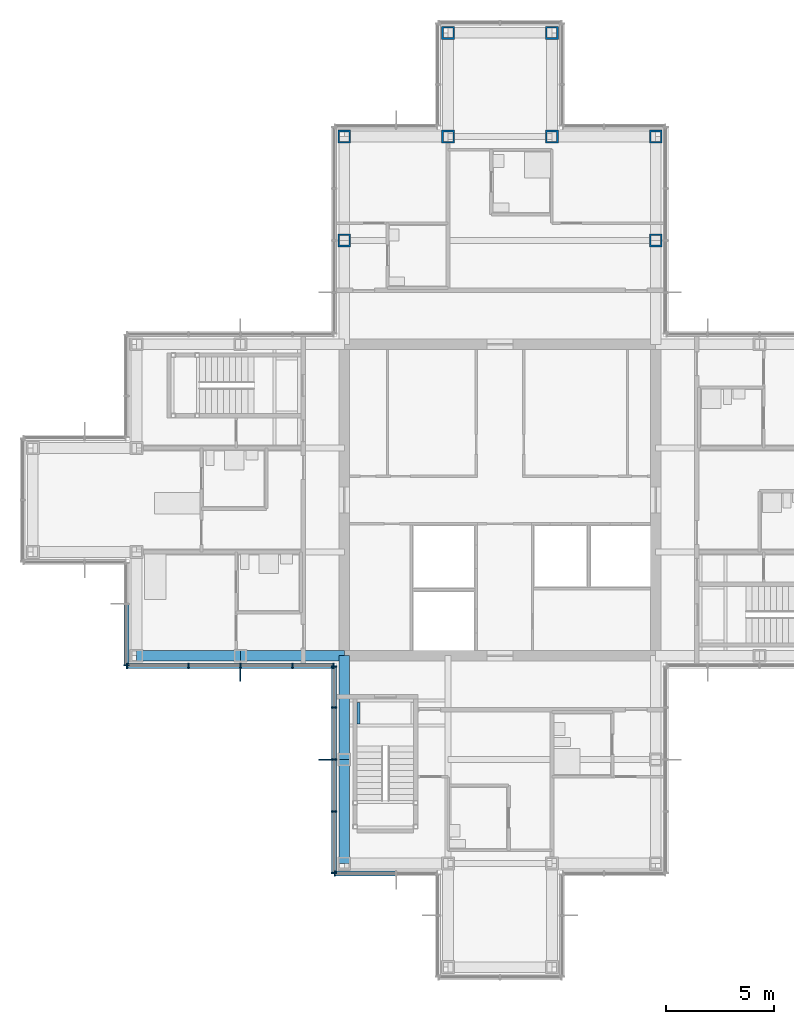
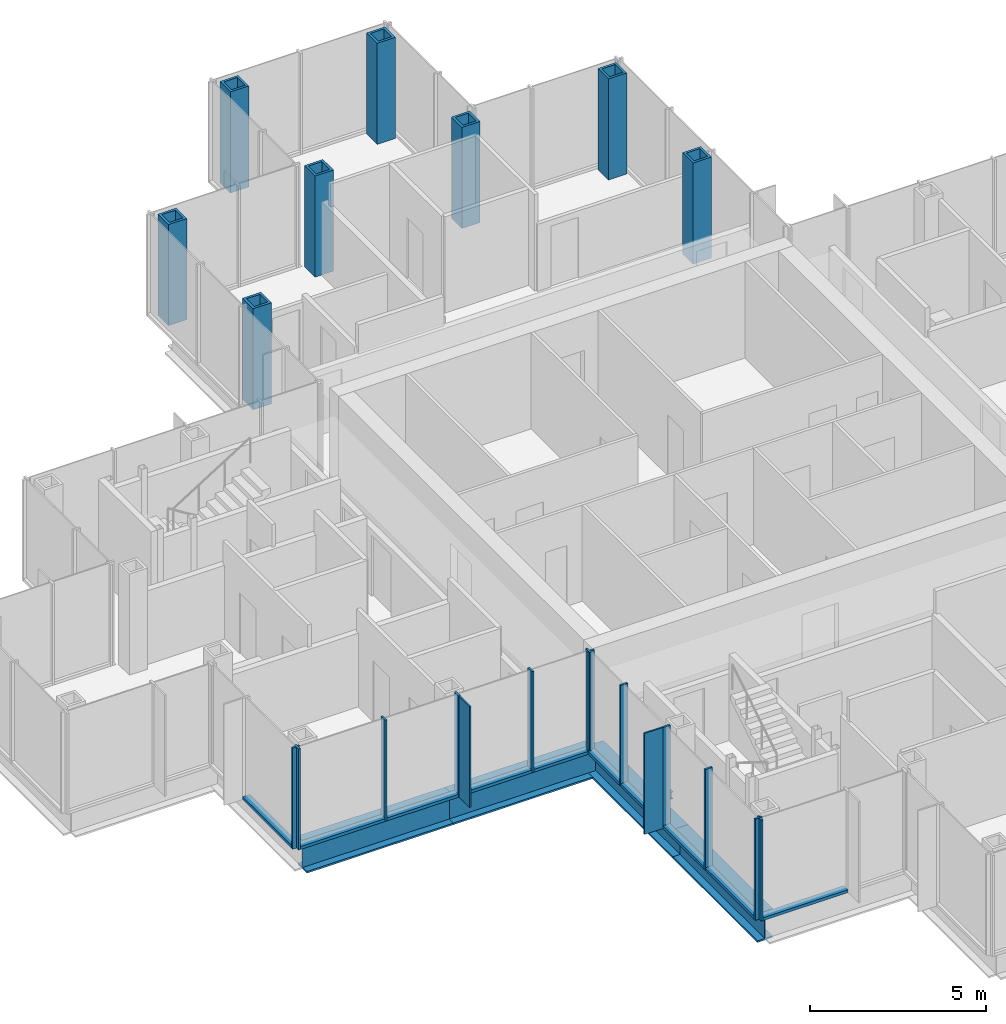
# One storey, part 5 of 17: 24 members, 8 columns, 5 beams, 4 elements without a shape of their own.
"""IFC4 building model written with IfcOpenShell, lengths in metres."""

from ifc_helpers import new_model, si_unit, direction, frame, origin, origin_2d, place, context, subcontext, project, spatial, rectangle, hollow_rectangle, i_section, extrude, material, material_profile, profile_set, type_object, element, aggregate, save


model = new_model("IFC4")

# Units and contexts
model_context = context("Model", 3, precision=1e-05, world=origin(), true_north=direction((0.0, 1.0)))
body_context = subcontext(model_context, "Body", "Model", "MODEL_VIEW")
ifc_project = project(units=[si_unit("LENGTHUNIT", "METRE"), si_unit("AREAUNIT", "SQUARE_METRE"), si_unit("VOLUMEUNIT", "CUBIC_METRE"), si_unit("PLANEANGLEUNIT", "RADIAN"), si_unit("MASSUNIT", "GRAM", prefix="KILO")], contexts=[model_context])

# Site, building, storey
site_placement = place(None, origin())
site = spatial("IfcSite", under=ifc_project, at=site_placement, CompositionType="ELEMENT")
building_placement = place(site_placement, origin())
building = spatial("IfcBuilding", under=site, at=building_placement, Name="Kvirike Care Tower", CompositionType="ELEMENT")
storey_placement = place(building_placement, frame((0.0, 0.0, 172.5)))
storey = spatial("IfcBuildingStorey", under=building, at=storey_placement, Name="L47", CompositionType="ELEMENT", Elevation=172.5)

# Columns
ifc_material_1 = material(Name="Steel S460", Category="steel")
ifc_material_profile_1 = material_profile(ifc_material_1, hollow_rectangle(XDim=0.60009765625, YDim=0.60009765625, WallThickness=0.080078125, at=origin_2d()), Name="BX 600x600x80")
ifc_profile_set_1 = profile_set([ifc_material_profile_1], Name="Steel S460")
column_type = type_object("IfcColumnType", Name="COLUMN BX 600x600x80", PredefinedType="COLUMN", material=ifc_profile_set_1)
for number, where, z_axis, x_axis, name in (
    (1, (14.39990234375, 48.0, 0.0), (0.0, 0.0, 1.0), (1.0, 0.0, 0.0), "Column L6 L47"),
    (2, (14.39990234375, 52.800048828125, 0.0), (0.0, 0.0, 1.0), (0.0, 1.0, 0.0), "Column M6 L47"),
    (3, (19.199951171875, 52.800048828125, 0.0), (0.0, 0.0, 1.0), (0.0, 1.0, 0.0), "Column M7 L47"),
    (4, (19.199951171875, 57.60009765625, 0.0), (0.0, 0.0, 1.0), (0.0, 1.0, 0.0), "Column N7 L47"),
    (5, (24.0, 52.800048828125, 0.0), (0.0, 0.0, 1.0), (0.0, 1.0, 0.0), "Column M8 L47"),
    (6, (24.0, 57.60009765625, 0.0), (0.0, 0.0, 1.0), (0.0, 1.0, 0.0), "Column N8 L47"),
    (7, (28.800048828125, 48.0, 0.0), (0.0, 0.0, 1.0), (1.0, 0.0, 0.0), "Column L9 L47"),
    (8, (28.800048828125, 52.800048828125, 0.0), (0.0, 0.0, 1.0), (0.0, 1.0, 0.0), "Column M9 L47"),
):
    element("IfcColumn", number, at=place(storey_placement, frame(where, z_axis=z_axis, x_axis=x_axis)), inside=storey, type_object=column_type, Name=name, PredefinedType="COLUMN", context=body_context, shape_type="SweptSolid", body=[
        extrude(hollow_rectangle(XDim=0.60009765625, YDim=0.60009765625, WallThickness=0.080078125, at=origin_2d()), origin(), (0.0, 0.0, 1.0), 3.5),
    ])

# Curtain wall, member
ifc_material_2 = material(Name="Anodised aluminium stick system", Category="aluminium")
curtain_wall_type = type_object("IfcCurtainWallType", Name="CW-C STICK CURTAIN WALL", PredefinedType="NOTDEFINED", material=ifc_material_2)
curtain_wall_1_placement = place(storey_placement, origin())
curtain_wall_1 = element("IfcCurtainWall", 9, at=curtain_wall_1_placement, inside=storey, type_object=curtain_wall_type, Name="Curtain wall L47 face 21", PredefinedType="NOTDEFINED")
ifc_material_3 = material(Name="Bronze anodised aluminium fin", Category="aluminium")
ifc_material_profile_2 = material_profile(ifc_material_3, rectangle(XDim=0.050048828125, YDim=0.60009765625, at=origin_2d()), Name="BRONZE FIN 600")
ifc_profile_set_2 = profile_set([ifc_material_profile_2], Name="Bronze anodised aluminium fin")
member_type_1 = type_object("IfcMemberType", Name="BRONZE FIN 600", PredefinedType="USERDEFINED", material=ifc_profile_set_2)
member_1_placement = place(storey_placement, frame((9.60009765625, 27.909912109375, 0.0), z_axis=(0.0, 0.0, 1.0), x_axis=(1.0, 0.0, 0.0)))
member_1 = element("IfcMember", 10, at=member_1_placement, type_object=member_type_1, Name="Bronze fin L47 face 21.3", ObjectType="FIN", PredefinedType="USERDEFINED", context=body_context, shape_type="SweptSolid", body=[
    extrude(rectangle(XDim=0.050048828125, YDim=0.60009765625, at=origin_2d()), origin(), (0.0, 0.0, 1.0), 3.5),
])

curtain_wall_2_placement = place(storey_placement, origin())
curtain_wall_2 = element("IfcCurtainWall", 11, at=curtain_wall_2_placement, inside=storey, type_object=curtain_wall_type, Name="Curtain wall L47 face 22", PredefinedType="NOTDEFINED")
member_2_placement = place(storey_placement, frame((13.510009765625, 24.0, 0.0), z_axis=(0.0, 0.0, 1.0), x_axis=(0.0, -1.0, 0.0)))
member_2 = element("IfcMember", 12, at=member_2_placement, type_object=member_type_1, Name="Bronze fin L47 face 22.3", ObjectType="FIN", PredefinedType="USERDEFINED", context=body_context, shape_type="SweptSolid", body=[
    extrude(rectangle(XDim=0.050048828125, YDim=0.60009765625, at=origin_2d()), origin(), (0.0, 0.0, 1.0), 3.5),
])

curtain_wall_3_placement = place(storey_placement, origin())
curtain_wall_3 = element("IfcCurtainWall", 13, at=curtain_wall_3_placement, inside=storey, type_object=curtain_wall_type, Name="Curtain wall L47 face 20", PredefinedType="NOTDEFINED")
ifc_material_4 = material(Name="Bronze anodised aluminium mullion", Category="aluminium")
ifc_material_profile_3 = material_profile(ifc_material_4, rectangle(XDim=0.06494140625, YDim=0.239990234375, at=origin_2d()), Name="CW-C MULLION 65x240")
ifc_profile_set_3 = profile_set([ifc_material_profile_3], Name="Bronze anodised aluminium mullion")
member_type_2 = type_object("IfcMemberType", Name="CW-C MULLION 65x240", PredefinedType="MULLION", material=ifc_profile_set_3)
member_3_placement = place(storey_placement, frame((4.330078125, 28.362548828125, 0.0), z_axis=(0.0, 0.0, 1.0), x_axis=(0.0, -1.0, 0.0)))
member_3 = element("IfcMember", 14, at=member_3_placement, type_object=member_type_2, Name="CW-C mullion L47 face 20.3", PredefinedType="MULLION", context=body_context, shape_type="SweptSolid", body=[
    extrude(rectangle(XDim=0.06494140625, YDim=0.239990234375, at=origin_2d()), origin(), (0.0, 0.0, 1.0), 3.5),
])

# Member
member_4_placement = place(storey_placement, frame((4.362548828125, 28.330078125, 0.0), z_axis=(0.0, 0.0, 1.0), x_axis=(1.0, 0.0, 0.0)))
member_4 = element("IfcMember", 15, at=member_4_placement, type_object=member_type_2, Name="CW-C mullion L47 face 21.1", PredefinedType="MULLION", context=body_context, shape_type="SweptSolid", body=[
    extrude(rectangle(XDim=0.06494140625, YDim=0.239990234375, at=origin_2d()), origin(), (0.0, 0.0, 1.0), 3.5),
])

member_5_placement = place(storey_placement, frame((7.199951171875, 28.330078125, 0.0), z_axis=(0.0, 0.0, 1.0), x_axis=(1.0, 0.0, 0.0)))
member_5 = element("IfcMember", 16, at=member_5_placement, type_object=member_type_2, Name="CW-C mullion L47 face 21.2", PredefinedType="MULLION", context=body_context, shape_type="SweptSolid", body=[
    extrude(rectangle(XDim=0.06494140625, YDim=0.239990234375, at=origin_2d()), origin(), (0.0, 0.0, 1.0), 3.5),
])

member_6_placement = place(storey_placement, frame((9.60009765625, 28.330078125, 0.0), z_axis=(0.0, 0.0, 1.0), x_axis=(1.0, 0.0, 0.0)))
member_6 = element("IfcMember", 17, at=member_6_placement, type_object=member_type_2, Name="CW-C mullion L47 face 21.3", PredefinedType="MULLION", context=body_context, shape_type="SweptSolid", body=[
    extrude(rectangle(XDim=0.06494140625, YDim=0.239990234375, at=origin_2d()), origin(), (0.0, 0.0, 1.0), 3.5),
])

member_7_placement = place(storey_placement, frame((12.0, 28.330078125, 0.0), z_axis=(0.0, 0.0, 1.0), x_axis=(1.0, 0.0, 0.0)))
member_7 = element("IfcMember", 18, at=member_7_placement, type_object=member_type_2, Name="CW-C mullion L47 face 21.4", PredefinedType="MULLION", context=body_context, shape_type="SweptSolid", body=[
    extrude(rectangle(XDim=0.06494140625, YDim=0.239990234375, at=origin_2d()), origin(), (0.0, 0.0, 1.0), 3.5),
])

member_8_placement = place(storey_placement, frame((13.8974609375, 28.330078125, 0.0), z_axis=(0.0, 0.0, 1.0), x_axis=(1.0, 0.0, 0.0)))
member_8 = element("IfcMember", 19, at=member_8_placement, type_object=member_type_2, Name="CW-C mullion L47 face 21.5", PredefinedType="MULLION", context=body_context, shape_type="SweptSolid", body=[
    extrude(rectangle(XDim=0.06494140625, YDim=0.239990234375, at=origin_2d()), origin(), (0.0, 0.0, 1.0), 3.5),
])

member_9_placement = place(storey_placement, frame((13.929931640625, 28.297607421875, 0.0), z_axis=(0.0, 0.0, 1.0), x_axis=(0.0, -1.0, 0.0)))
member_9 = element("IfcMember", 20, at=member_9_placement, type_object=member_type_2, Name="CW-C mullion L47 face 22.1", PredefinedType="MULLION", context=body_context, shape_type="SweptSolid", body=[
    extrude(rectangle(XDim=0.06494140625, YDim=0.239990234375, at=origin_2d()), origin(), (0.0, 0.0, 1.0), 3.5),
])

member_10_placement = place(storey_placement, frame((13.929931640625, 26.39990234375, 0.0), z_axis=(0.0, 0.0, 1.0), x_axis=(0.0, -1.0, 0.0)))
member_10 = element("IfcMember", 21, at=member_10_placement, type_object=member_type_2, Name="CW-C mullion L47 face 22.2", PredefinedType="MULLION", context=body_context, shape_type="SweptSolid", body=[
    extrude(rectangle(XDim=0.06494140625, YDim=0.239990234375, at=origin_2d()), origin(), (0.0, 0.0, 1.0), 3.5),
])

member_11_placement = place(storey_placement, frame((13.929931640625, 24.0, 0.0), z_axis=(0.0, 0.0, 1.0), x_axis=(0.0, -1.0, 0.0)))
member_11 = element("IfcMember", 22, at=member_11_placement, type_object=member_type_2, Name="CW-C mullion L47 face 22.3", PredefinedType="MULLION", context=body_context, shape_type="SweptSolid", body=[
    extrude(rectangle(XDim=0.06494140625, YDim=0.239990234375, at=origin_2d()), origin(), (0.0, 0.0, 1.0), 3.5),
])

member_12_placement = place(storey_placement, frame((13.929931640625, 21.60009765625, 0.0), z_axis=(0.0, 0.0, 1.0), x_axis=(0.0, -1.0, 0.0)))
member_12 = element("IfcMember", 23, at=member_12_placement, type_object=member_type_2, Name="CW-C mullion L47 face 22.4", PredefinedType="MULLION", context=body_context, shape_type="SweptSolid", body=[
    extrude(rectangle(XDim=0.06494140625, YDim=0.239990234375, at=origin_2d()), origin(), (0.0, 0.0, 1.0), 3.5),
])

member_13_placement = place(storey_placement, frame((13.929931640625, 18.762451171875, 0.0), z_axis=(0.0, 0.0, 1.0), x_axis=(0.0, -1.0, 0.0)))
member_13 = element("IfcMember", 24, at=member_13_placement, type_object=member_type_2, Name="CW-C mullion L47 face 22.5", PredefinedType="MULLION", context=body_context, shape_type="SweptSolid", body=[
    extrude(rectangle(XDim=0.06494140625, YDim=0.239990234375, at=origin_2d()), origin(), (0.0, 0.0, 1.0), 3.5),
])

# Curtain wall, member
curtain_wall_4_placement = place(storey_placement, origin())
curtain_wall_4 = element("IfcCurtainWall", 25, at=curtain_wall_4_placement, inside=storey, type_object=curtain_wall_type, Name="Curtain wall L47 face 23", PredefinedType="NOTDEFINED")
member_14_placement = place(storey_placement, frame((13.96240234375, 18.72998046875, 0.0), z_axis=(0.0, 0.0, 1.0), x_axis=(1.0, 0.0, 0.0)))
member_14 = element("IfcMember", 26, at=member_14_placement, type_object=member_type_2, Name="CW-C mullion L47 face 23.1", PredefinedType="MULLION", context=body_context, shape_type="SweptSolid", body=[
    extrude(rectangle(XDim=0.06494140625, YDim=0.239990234375, at=origin_2d()), origin(), (0.0, 0.0, 1.0), 3.5),
])

# Member
ifc_material_5 = material(Name="Bronze anodised aluminium transom", Category="aluminium")
ifc_material_profile_4 = material_profile(ifc_material_5, rectangle(XDim=0.239990234375, YDim=0.10009765625, at=origin_2d()), Name="CW-C TRANSOM 240x100")
ifc_profile_set_4 = profile_set([ifc_material_profile_4], Name="Bronze anodised aluminium transom")
member_type_3 = type_object("IfcMemberType", Name="CW-C TRANSOM 240x100", PredefinedType="USERDEFINED", material=ifc_profile_set_4)
member_15_placement = place(storey_placement, frame((4.330078125, 31.16748046875, 0.050048828125), z_axis=(0.0, -1.0, 0.0), x_axis=(1.0, 0.0, 0.0)))
member_15 = element("IfcMember", 27, at=member_15_placement, type_object=member_type_3, Name="CW-C sill transom L47 face 20.2", ObjectType="TRANSOM", PredefinedType="USERDEFINED", context=body_context, shape_type="SweptSolid", body=[
    extrude(rectangle(XDim=0.239990234375, YDim=0.10009765625, at=origin_2d()), origin(), (0.0, 0.0, 1.0), 2.7724609375),
])

aggregate(curtain_wall_3, [member_3, member_15])

member_16_placement = place(storey_placement, frame((4.39501953125, 28.330078125, 0.050048828125), z_axis=(1.0, 0.0, 0.0), x_axis=(0.0, 1.0, 0.0)))
member_16 = element("IfcMember", 28, at=member_16_placement, type_object=member_type_3, Name="CW-C sill transom L47 face 21.1", ObjectType="TRANSOM", PredefinedType="USERDEFINED", context=body_context, shape_type="SweptSolid", body=[
    extrude(rectangle(XDim=0.239990234375, YDim=0.10009765625, at=origin_2d()), origin(), (0.0, 0.0, 1.0), 2.7724609375),
])

member_17_placement = place(storey_placement, frame((7.232421875, 28.330078125, 0.050048828125), z_axis=(1.0, 0.0, 0.0), x_axis=(0.0, 1.0, 0.0)))
member_17 = element("IfcMember", 29, at=member_17_placement, type_object=member_type_3, Name="CW-C sill transom L47 face 21.2", ObjectType="TRANSOM", PredefinedType="USERDEFINED", context=body_context, shape_type="SweptSolid", body=[
    extrude(rectangle(XDim=0.239990234375, YDim=0.10009765625, at=origin_2d()), origin(), (0.0, 0.0, 1.0), 2.3349609375),
])

member_18_placement = place(storey_placement, frame((9.632568359375, 28.330078125, 0.050048828125), z_axis=(1.0, 0.0, 0.0), x_axis=(0.0, 1.0, 0.0)))
member_18 = element("IfcMember", 30, at=member_18_placement, type_object=member_type_3, Name="CW-C sill transom L47 face 21.3", ObjectType="TRANSOM", PredefinedType="USERDEFINED", context=body_context, shape_type="SweptSolid", body=[
    extrude(rectangle(XDim=0.239990234375, YDim=0.10009765625, at=origin_2d()), origin(), (0.0, 0.0, 1.0), 2.3349609375),
])

member_19_placement = place(storey_placement, frame((12.032470703125, 28.330078125, 0.050048828125), z_axis=(1.0, 0.0, 0.0), x_axis=(0.0, 1.0, 0.0)))
member_19 = element("IfcMember", 31, at=member_19_placement, type_object=member_type_3, Name="CW-C sill transom L47 face 21.4", ObjectType="TRANSOM", PredefinedType="USERDEFINED", context=body_context, shape_type="SweptSolid", body=[
    extrude(rectangle(XDim=0.239990234375, YDim=0.10009765625, at=origin_2d()), origin(), (0.0, 0.0, 1.0), 1.83251953125),
])

aggregate(curtain_wall_1, [member_4, member_5, member_6, member_1, member_7, member_8, member_16, member_17, member_18, member_19])

member_20_placement = place(storey_placement, frame((13.929931640625, 28.264892578125, 0.050048828125), z_axis=(0.0, -1.0, 0.0), x_axis=(1.0, 0.0, 0.0)))
member_20 = element("IfcMember", 32, at=member_20_placement, type_object=member_type_3, Name="CW-C sill transom L47 face 22.1", ObjectType="TRANSOM", PredefinedType="USERDEFINED", context=body_context, shape_type="SweptSolid", body=[
    extrude(rectangle(XDim=0.239990234375, YDim=0.10009765625, at=origin_2d()), origin(), (0.0, 0.0, 1.0), 1.832275390625),
])

member_21_placement = place(storey_placement, frame((13.929931640625, 26.367431640625, 0.050048828125), z_axis=(0.0, -1.0, 0.0), x_axis=(1.0, 0.0, 0.0)))
member_21 = element("IfcMember", 33, at=member_21_placement, type_object=member_type_3, Name="CW-C sill transom L47 face 22.2", ObjectType="TRANSOM", PredefinedType="USERDEFINED", context=body_context, shape_type="SweptSolid", body=[
    extrude(rectangle(XDim=0.239990234375, YDim=0.10009765625, at=origin_2d()), origin(), (0.0, 0.0, 1.0), 2.3349609375),
])

member_22_placement = place(storey_placement, frame((13.929931640625, 23.967529296875, 0.050048828125), z_axis=(0.0, -1.0, 0.0), x_axis=(1.0, 0.0, 0.0)))
member_22 = element("IfcMember", 34, at=member_22_placement, type_object=member_type_3, Name="CW-C sill transom L47 face 22.3", ObjectType="TRANSOM", PredefinedType="USERDEFINED", context=body_context, shape_type="SweptSolid", body=[
    extrude(rectangle(XDim=0.239990234375, YDim=0.10009765625, at=origin_2d()), origin(), (0.0, 0.0, 1.0), 2.3349609375),
])

member_23_placement = place(storey_placement, frame((13.929931640625, 21.5673828125, 0.050048828125), z_axis=(0.0, -1.0, 0.0), x_axis=(1.0, 0.0, 0.0)))
member_23 = element("IfcMember", 35, at=member_23_placement, type_object=member_type_3, Name="CW-C sill transom L47 face 22.4", ObjectType="TRANSOM", PredefinedType="USERDEFINED", context=body_context, shape_type="SweptSolid", body=[
    extrude(rectangle(XDim=0.239990234375, YDim=0.10009765625, at=origin_2d()), origin(), (0.0, 0.0, 1.0), 2.7724609375),
])

aggregate(curtain_wall_2, [member_9, member_10, member_11, member_2, member_12, member_13, member_20, member_21, member_22, member_23])

member_24_placement = place(storey_placement, frame((13.9951171875, 18.72998046875, 0.050048828125), z_axis=(1.0, 0.0, 0.0), x_axis=(0.0, 1.0, 0.0)))
member_24 = element("IfcMember", 36, at=member_24_placement, type_object=member_type_3, Name="CW-C sill transom L47 face 23.1", ObjectType="TRANSOM", PredefinedType="USERDEFINED", context=body_context, shape_type="SweptSolid", body=[
    extrude(rectangle(XDim=0.239990234375, YDim=0.10009765625, at=origin_2d()), origin(), (0.0, 0.0, 1.0), 2.7724609375),
])

aggregate(curtain_wall_4, [member_14, member_24])

# Beams
ifc_material_6 = material(Name="Steel S355", Category="steel")
ifc_material_profile_5 = material_profile(ifc_material_6, i_section(OverallWidth=0.5, OverallDepth=1.0, WebThickness=0.030029296875, FlangeThickness=0.06005859375, at=origin_2d()), Name="PG 1000x500x30x60")
ifc_profile_set_5 = profile_set([ifc_material_profile_5], Name="Steel S355")
beam_type_1 = type_object("IfcBeamType", Name="SPANDREL PG 1000x500x30x60", PredefinedType="SPANDREL", material=ifc_profile_set_5)
beam_1_placement = place(storey_placement, frame((4.800048828125, 28.800048828125, -0.669921875), z_axis=(1.0, 0.0, 0.0), x_axis=(0.0, 1.0, 0.0)))
element("IfcBeam", 37, at=beam_1_placement, inside=storey, type_object=beam_type_1, Name="Spandrel G4-G5 L47", PredefinedType="SPANDREL", context=body_context, shape_type="SweptSolid", body=[
    extrude(i_section(OverallWidth=0.5, OverallDepth=1.0, WebThickness=0.030029296875, FlangeThickness=0.06005859375, at=origin_2d()), origin(), (0.0, 0.0, 1.0), 4.800048828125),
])
beam_2_placement = place(storey_placement, frame((9.60009765625, 28.800048828125, -0.669921875), z_axis=(1.0, 0.0, 0.0), x_axis=(0.0, 1.0, 0.0)))
element("IfcBeam", 38, at=beam_2_placement, inside=storey, type_object=beam_type_1, Name="Spandrel G5-G6 L47", PredefinedType="SPANDREL", context=body_context, shape_type="SweptSolid", body=[
    extrude(i_section(OverallWidth=0.5, OverallDepth=1.0, WebThickness=0.030029296875, FlangeThickness=0.06005859375, at=origin_2d()), origin(), (0.0, 0.0, 1.0), 4.7998046875),
])
for number, where, z_axis, x_axis, name in (
    (39, (14.39990234375, 19.199951171875, -0.669921875), (0.0, 1.0, 0.0), (-1.0, 0.0, 0.0), "Spandrel E6-F6 L47"),
    (40, (14.39990234375, 24.0, -0.669921875), (0.0, 1.0, 0.0), (-1.0, 0.0, 0.0), "Spandrel F6-G6 L47"),
):
    element("IfcBeam", number, at=place(storey_placement, frame(where, z_axis=z_axis, x_axis=x_axis)), inside=storey, type_object=beam_type_1, Name=name, PredefinedType="SPANDREL", context=body_context, shape_type="SweptSolid", body=[
        extrude(i_section(OverallWidth=0.5, OverallDepth=1.0, WebThickness=0.030029296875, FlangeThickness=0.06005859375, at=origin_2d()), origin(), (0.0, 0.0, 1.0), 4.800048828125),
    ])
ifc_material_7 = material(Name="Steel S355", Category="steel")
ifc_material_profile_6 = material_profile(ifc_material_7, i_section(OverallWidth=0.1201171875, OverallDepth=0.239990234375, WebThickness=0.006103515625, FlangeThickness=0.009765625, FilletRadius=0.014892578125, at=origin_2d()), Name="IPE 240")
ifc_profile_set_6 = profile_set([ifc_material_profile_6], Name="Steel S355")
beam_type_2 = type_object("IfcBeamType", Name="STAIR LANDING BEAM IPE 240", PredefinedType="BEAM", material=ifc_profile_set_6)
beam_3_placement = place(storey_placement, frame((15.06005859375, 25.64990234375, -0.320068359375), z_axis=(0.0, 1.0, 0.0), x_axis=(-1.0, 0.0, 0.0)))
element("IfcBeam", 41, at=beam_3_placement, inside=storey, type_object=beam_type_2, Name="Stair 5 landing edge beam 1 L47", PredefinedType="BEAM", context=body_context, shape_type="SweptSolid", body=[
    extrude(i_section(OverallWidth=0.1201171875, OverallDepth=0.239990234375, WebThickness=0.006103515625, FlangeThickness=0.009765625, FilletRadius=0.014892578125, at=origin_2d()), origin(), (0.0, 0.0, 1.0), 1.0),
])

save(model, "model.ifc")
